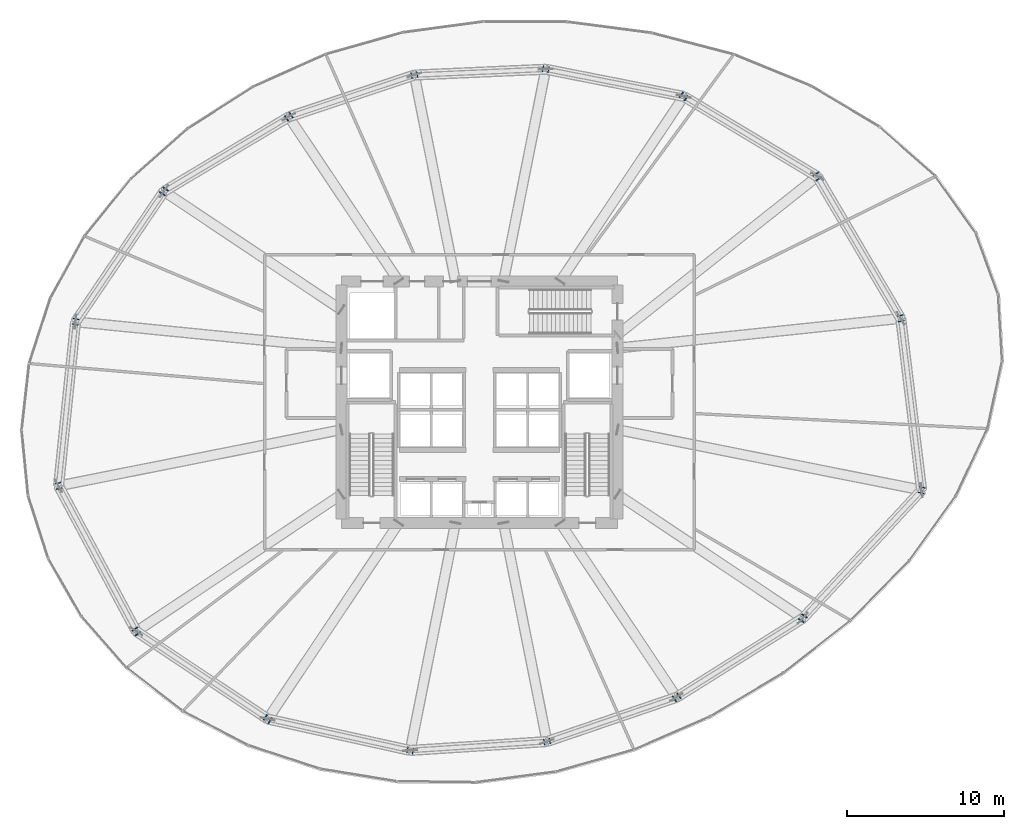
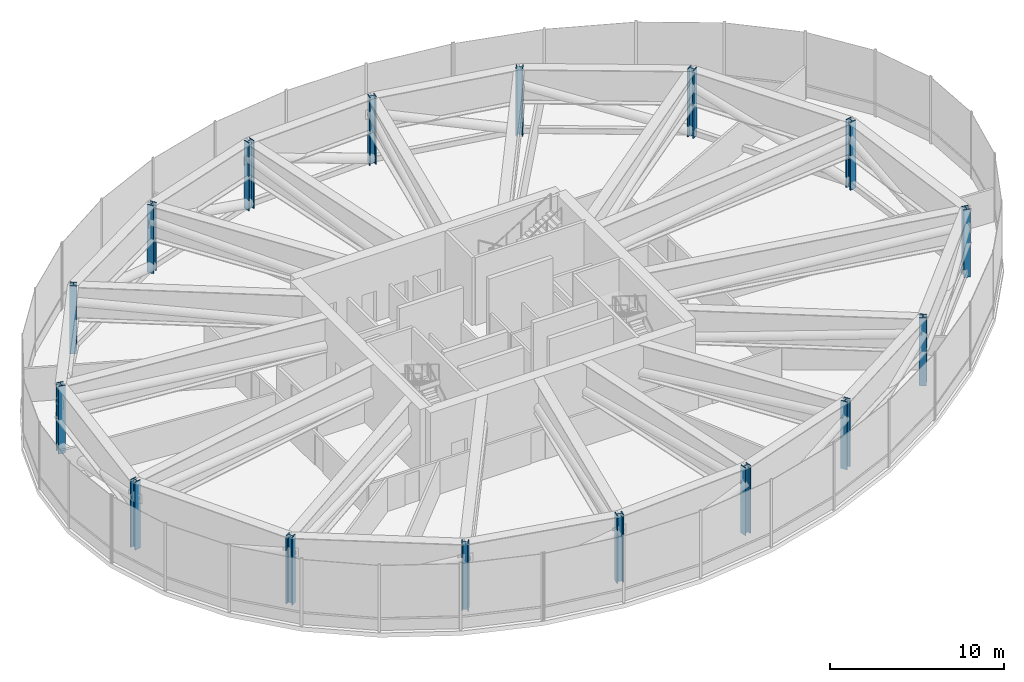
# One storey, part 1 of 33: 16 columns.
"""IFC4 building model written with IfcOpenShell, lengths in metres."""

from ifc_helpers import new_model, si_unit, direction, frame, origin, origin_2d, place, context, subcontext, project, spatial, i_section, extrude, source, transform, mapped, material, material_profile, profile_set, type_object, element, save


model = new_model("IFC4")

# Units and contexts
model_context = context("Model", 3, precision=1e-05, world=origin(), true_north=direction((0.0, 1.0)))
body_context = subcontext(model_context, "Body", "Model", "MODEL_VIEW")
ifc_project = project(units=[si_unit("LENGTHUNIT", "METRE"), si_unit("AREAUNIT", "SQUARE_METRE"), si_unit("VOLUMEUNIT", "CUBIC_METRE"), si_unit("PLANEANGLEUNIT", "RADIAN"), si_unit("MASSUNIT", "GRAM", prefix="KILO"), si_unit("THERMODYNAMICTEMPERATUREUNIT", "KELVIN")], contexts=[model_context])

# Site, building, storey
site_placement = place(None, origin())
site = spatial("IfcSite", under=ifc_project, at=site_placement, CompositionType="ELEMENT")
building_placement = place(site_placement, origin())
building = spatial("IfcBuilding", under=site, at=building_placement, Name="Kethvar Cultural Tower", CompositionType="ELEMENT")
storey_placement = place(building_placement, frame((0.0, 0.0, 80.39990234375)))
storey = spatial("IfcBuildingStorey", under=building, at=storey_placement, Name="L19", CompositionType="ELEMENT", Elevation=80.39990234375)

# Columns
ifc_material = material(Name="Steel S460M", Category="steel")
ifc_material_profile = material_profile(ifc_material, i_section(OverallWidth=0.412109375, OverallDepth=0.430908203125, WebThickness=0.0419921875, FlangeThickness=0.068115234375, FilletRadius=0.014892578125, at=origin_2d()), Name="Steel S460M — HD400x900")
ifc_profile_set = profile_set([ifc_material_profile], Name="Steel S460M — HD400x900")
column_type = type_object("IfcColumnType", Name="COL-HD900", PredefinedType="COLUMN", material=ifc_profile_set)
shared_shape = source(origin(), body_context, "Body", "SweptSolid", [
    extrude(i_section(OverallWidth=0.412109375, OverallDepth=0.430908203125, WebThickness=0.0419921875, FlangeThickness=0.068115234375, FilletRadius=0.014892578125, at=origin_2d()), origin(), (0.0, 0.0, 1.0), 4.760009765625),
])
for number, where, z_axis, x_axis, name in (
    (1, (73.65673828125, 33.14208984375, 0.0), (0.0, 0.0, 1.0), (0.980785280403, 0.195090322016, 0.0), "L19 Mega-Column MC-01"),
    (2, (68.33642578125, 42.190185546875, 0.0), (0.0, 0.0, 1.0), (0.831469612303, 0.55557023302, 0.0), "L19 Mega-Column MC-02"),
    (3, (59.824951171875, 47.293212890625, 0.0), (0.0, 0.0, 1.0), (0.55557023302, 0.831469612303, 0.0), "L19 Mega-Column MC-03"),
    (4, (51.022216796875, 49.02587890625, 0.0), (0.0, 0.0, 1.0), (0.195090322016, 0.980785280403, 0.0), "L19 Mega-Column MC-04"),
    (5, (42.651611328125, 48.65576171875, 0.0), (0.0, 0.0, 1.0), (-0.195090322016, 0.980785280403, 0.0), "L19 Mega-Column MC-05"),
    (6, (34.64599609375, 45.98974609375, 0.0), (0.0, 0.0, 1.0), (-0.55557023302, 0.831469612303, 0.0), "L19 Mega-Column MC-06"),
    (7, (26.6845703125, 41.24072265625, 0.0), (0.0, 0.0, 1.0), (-0.831469612303, 0.55557023302, 0.0), "L19 Mega-Column MC-07"),
    (8, (21.047119140625, 32.922607421875, 0.0), (0.0, 0.0, 1.0), (-0.980785280403, 0.195090322016, 0.0), "L19 Mega-Column MC-08"),
    (9, (19.9658203125, 22.46240234375, 0.0), (0.0, 0.0, 1.0), (-0.980785280403, -0.195090322016, 0.0), "L19 Mega-Column MC-09"),
    (10, (24.9248046875, 13.183349609375, 0.0), (0.0, 0.0, 1.0), (-0.831469612303, -0.55557023302, 0.0), "L19 Mega-Column MC-10"),
    (11, (33.302001953125, 7.598876953125, 0.0), (0.0, 0.0, 1.0), (-0.55557023302, -0.831469612303, 0.0), "L19 Mega-Column MC-11"),
    (12, (42.38330078125, 5.59619140625, 0.0), (0.0, 0.0, 1.0), (-0.195090322016, -0.980785280403, 0.0), "L19 Mega-Column MC-12"),
    (13, (51.10400390625, 6.16259765625, 0.0), (0.0, 0.0, 1.0), (0.195090322016, -0.980785280403, 0.0), "L19 Mega-Column MC-13"),
    (14, (59.370361328125, 8.987060546875, 0.0), (0.0, 0.0, 1.0), (0.55557023302, -0.831469612303, 0.0), "L19 Mega-Column MC-14"),
    (15, (67.41845703125, 14.023193359375, 0.0), (0.0, 0.0, 1.0), (0.831469612303, -0.55557023302, 0.0), "L19 Mega-Column MC-15"),
    (16, (74.9912109375, 22.1923828125, 0.0), (0.0, 0.0, 1.0), (0.980785280403, -0.195090322016, 0.0), "L19 Mega-Column MC-16"),
):
    element("IfcColumn", number, at=place(storey_placement, frame(where, z_axis=z_axis, x_axis=x_axis)), inside=storey, type_object=column_type, Name=name, PredefinedType="COLUMN", context=body_context, shape_type="MappedRepresentation", body=[
        mapped(shared_shape, transform((0.0, 0.0, 0.0), scale=1.0)),
    ])

save(model, "model.ifc")
